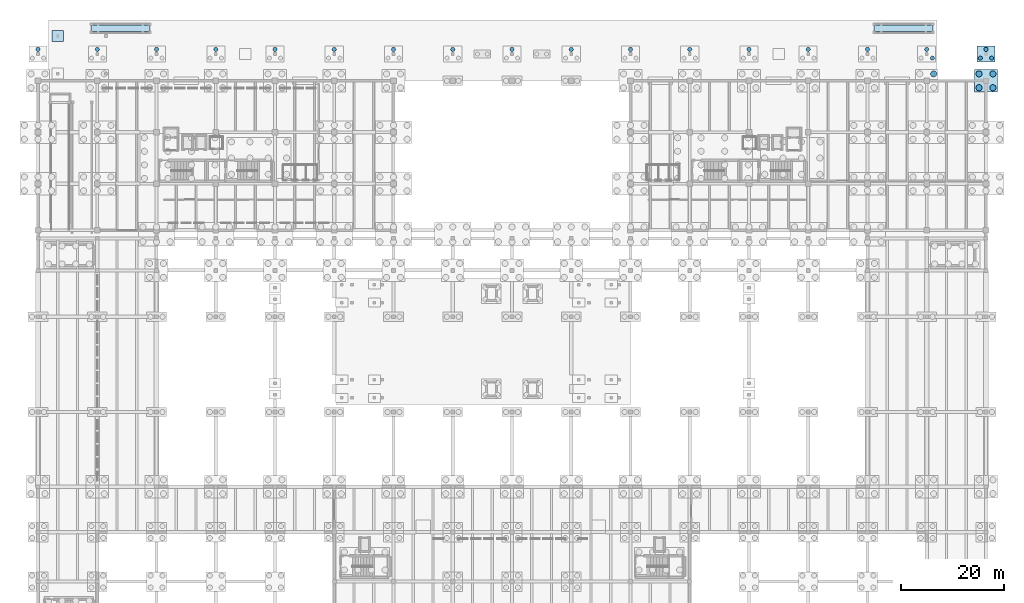
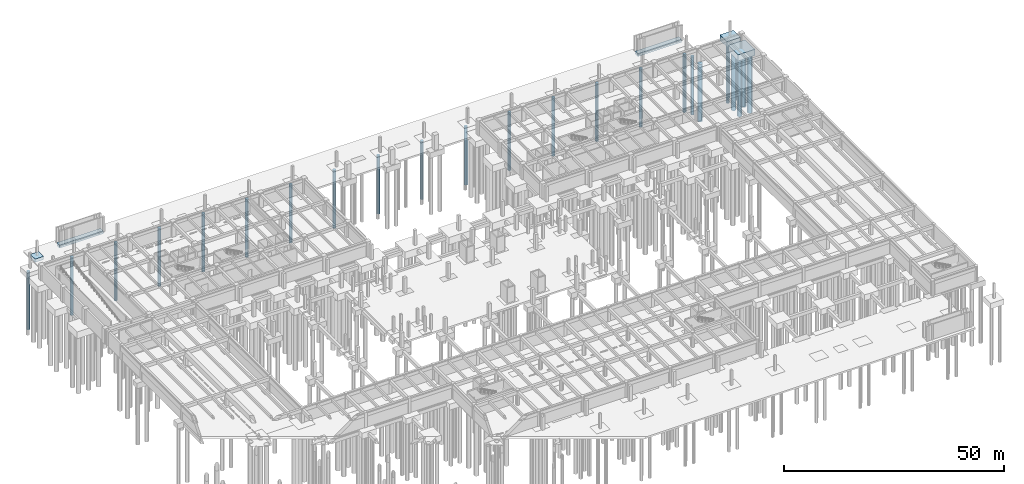
# One storey, part 7 of 28: 25 piles, 5 footings.
"""IFC4 building model written with IfcOpenShell, lengths in metres."""

from ifc_helpers import new_model, si_unit, direction, frame, origin, origin_2d, place, context, subcontext, project, spatial, rectangle, circle, extrude, material, material_profile, profile_set, type_object, element, save


model = new_model("IFC4")

# Units and contexts
model_context = context("Model", 3, precision=1e-05, world=origin(), true_north=direction((0.0, 1.0)))
body_context = subcontext(model_context, "Body", "Model", "MODEL_VIEW")
ifc_project = project(units=[si_unit("LENGTHUNIT", "METRE"), si_unit("AREAUNIT", "SQUARE_METRE"), si_unit("VOLUMEUNIT", "CUBIC_METRE"), si_unit("PLANEANGLEUNIT", "RADIAN"), si_unit("MASSUNIT", "GRAM", prefix="KILO")], contexts=[model_context])

# Site, building, storey
site_placement = place(None, origin())
site = spatial("IfcSite", under=ifc_project, at=site_placement, CompositionType="ELEMENT")
building_placement = place(site_placement, origin())
building = spatial("IfcBuilding", under=site, at=building_placement, Name="Ologun Quay Terminus", CompositionType="ELEMENT")
storey_placement = place(building_placement, frame((0.0, 0.0, -8.39990234375)))
storey = spatial("IfcBuildingStorey", under=building, at=storey_placement, Name="B02", CompositionType="ELEMENT", Elevation=-8.39990234375)

# Piles
ifc_material_1 = material(Name="Concrete C35/45", Category="concrete")
ifc_material_profile_1 = material_profile(ifc_material_1, circle(Radius=0.60009765625, at=origin_2d()), Name="PILE D1200")
ifc_profile_set_1 = profile_set([ifc_material_profile_1], Name="Concrete C35/45")
pile_type_1 = type_object("IfcPileType", Name="Bored Concrete Pile D1200", PredefinedType="BORED", material=ifc_profile_set_1)
for number, where, z_axis, x_axis, name in (
    (1, (173.85009765625, 116.14990234375, -1.60009765625), (0.0, 0.0, -1.0), (1.0, 0.0, 0.0), "P1 Pile FND-16-K-04"),
    (2, (182.64990234375, 113.449951171875, -1.60009765625), (0.0, 0.0, -1.0), (1.0, 0.0, 0.0), "P1 Pile FND-17-K-01"),
    (3, (185.35009765625, 113.449951171875, -1.60009765625), (0.0, 0.0, -1.0), (1.0, 0.0, 0.0), "P1 Pile FND-17-K-02"),
    (4, (182.64990234375, 116.14990234375, -1.60009765625), (0.0, 0.0, -1.0), (1.0, 0.0, 0.0), "P1 Pile FND-17-K-03"),
    (5, (185.35009765625, 116.14990234375, -1.60009765625), (0.0, 0.0, -1.0), (1.0, 0.0, 0.0), "P1 Pile FND-17-K-04"),
):
    element("IfcPile", number, at=place(storey_placement, frame(where, z_axis=z_axis, x_axis=x_axis)), inside=storey, type_object=pile_type_1, Name=name, PredefinedType="BORED", context=body_context, shape_type="SweptSolid", body=[
        extrude(circle(Radius=0.60009765625, at=origin_2d()), origin(), (0.0, 0.0, 1.0), 16.0),
    ])
ifc_material_2 = material(Name="Concrete C35/45", Category="concrete")
ifc_material_profile_2 = material_profile(ifc_material_2, circle(Radius=0.39990234375, at=origin_2d()), Name="PILE D800")
ifc_profile_set_2 = profile_set([ifc_material_profile_2], Name="Concrete C35/45")
pile_type_2 = type_object("IfcPileType", Name="Bored Concrete Pile D800", PredefinedType="BORED", material=ifc_profile_set_2)
for number, where, z_axis, x_axis, name in (
    (6, (0.0, 120.902587890625, -1.400146484375), (0.0, 0.0, -1.0), (1.0, 0.0, 0.0), "P3 Pile FND-1-L-03"),
    (7, (11.5, 120.902587890625, -1.400146484375), (0.0, 0.0, -1.0), (1.0, 0.0, 0.0), "P3 Pile FND-2-L-03"),
    (8, (23.0, 120.902587890625, -1.400146484375), (0.0, 0.0, -1.0), (1.0, 0.0, 0.0), "P3 Pile FND-3-L-03"),
    (9, (34.5, 120.902587890625, -1.400146484375), (0.0, 0.0, -1.0), (1.0, 0.0, 0.0), "P3 Pile FND-4-L-03"),
    (10, (46.0, 120.902587890625, -1.400146484375), (0.0, 0.0, -1.0), (1.0, 0.0, 0.0), "P3 Pile FND-5-L-03"),
    (11, (57.5, 120.902587890625, -1.400146484375), (0.0, 0.0, -1.0), (1.0, 0.0, 0.0), "P3 Pile FND-6-L-03"),
    (12, (69.0, 120.902587890625, -1.400146484375), (0.0, 0.0, -1.0), (1.0, 0.0, 0.0), "P3 Pile FND-7-L-03"),
    (13, (80.5, 120.902587890625, -1.400146484375), (0.0, 0.0, -1.0), (1.0, 0.0, 0.0), "P3 Pile FND-8-L-03"),
    (14, (92.0, 120.902587890625, -1.400146484375), (0.0, 0.0, -1.0), (1.0, 0.0, 0.0), "P3 Pile FND-9-L-03"),
    (15, (103.5, 120.902587890625, -1.400146484375), (0.0, 0.0, -1.0), (1.0, 0.0, 0.0), "P3 Pile FND-10-L-03"),
    (16, (115.0, 120.902587890625, -1.400146484375), (0.0, 0.0, -1.0), (1.0, 0.0, 0.0), "P3 Pile FND-11-L-03"),
    (17, (126.5, 120.902587890625, -1.400146484375), (0.0, 0.0, -1.0), (1.0, 0.0, 0.0), "P3 Pile FND-12-L-03"),
    (18, (138.0, 120.902587890625, -1.400146484375), (0.0, 0.0, -1.0), (1.0, 0.0, 0.0), "P3 Pile FND-13-L-03"),
    (19, (149.5, 120.902587890625, -1.400146484375), (0.0, 0.0, -1.0), (1.0, 0.0, 0.0), "P3 Pile FND-14-L-03"),
    (20, (161.0, 120.902587890625, -1.400146484375), (0.0, 0.0, -1.0), (1.0, 0.0, 0.0), "P3 Pile FND-15-L-03"),
    (21, (173.60009765625, 119.1923828125, -1.400146484375), (0.0, 0.0, -1.0), (1.0, 0.0, 0.0), "P3 Pile FND-16-L-02"),
    (22, (172.5, 120.902587890625, -1.400146484375), (0.0, 0.0, -1.0), (1.0, 0.0, 0.0), "P3 Pile FND-16-L-03"),
    (23, (182.89990234375, 119.1923828125, -1.400146484375), (0.0, 0.0, -1.0), (1.0, 0.0, 0.0), "P3 Pile FND-17-L-01"),
    (24, (185.10009765625, 119.1923828125, -1.400146484375), (0.0, 0.0, -1.0), (1.0, 0.0, 0.0), "P3 Pile FND-17-L-02"),
    (25, (184.0, 120.902587890625, -1.400146484375), (0.0, 0.0, -1.0), (1.0, 0.0, 0.0), "P3 Pile FND-17-L-03"),
):
    element("IfcPile", number, at=place(storey_placement, frame(where, z_axis=z_axis, x_axis=x_axis)), inside=storey, type_object=pile_type_2, Name=name, PredefinedType="BORED", context=body_context, shape_type="SweptSolid", body=[
        extrude(circle(Radius=0.39990234375, at=origin_2d()), origin(), (0.0, 0.0, 1.0), 16.199951171875),
    ])

# Footings
ifc_material_3 = material(Name="Concrete C35/45", Category="concrete")
footing_type_1 = type_object("IfcFootingType", Name="Four-Pile Courtyard Wing Cap 4400x4400x1700", PredefinedType="PILE_CAP", material=ifc_material_3)
footing_1_placement = place(storey_placement, frame((184.0, 114.800048828125, -1.7001953125), z_axis=(0.0, 0.0, 1.0), x_axis=(1.0, 0.0, 0.0)))
element("IfcFooting", 26, at=footing_1_placement, inside=storey, type_object=footing_type_1, Name="PC2 Footing 17/K", PredefinedType="PILE_CAP", context=body_context, shape_type="SweptSolid", body=[
    extrude(rectangle(XDim=4.39990234375, YDim=4.39990234375, at=origin_2d()), origin(), (0.0, 0.0, 1.0), 1.699951171875),
])
ifc_material_4 = material(Name="Concrete C35/45", Category="concrete")
footing_type_2 = type_object("IfcFootingType", Name="Platform Wall Strip Footing 1200x800", PredefinedType="STRIP_FOOTING", material=ifc_material_4)
for number, where, z_axis, x_axis, name in (
    (27, (16.0, 125.0, -0.80029296875), (0.0, 0.0, 1.0), (1.0, 0.0, 0.0), "SF2 Footing 2/L"),
    (28, (168.0, 125.0, -0.80029296875), (0.0, 0.0, 1.0), (1.0, 0.0, 0.0), "SF2 Footing 15/L"),
):
    element("IfcFooting", number, at=place(storey_placement, frame(where, z_axis=z_axis, x_axis=x_axis)), inside=storey, type_object=footing_type_2, Name=name, PredefinedType="STRIP_FOOTING", context=body_context, shape_type="SweptSolid", body=[
        extrude(rectangle(XDim=11.5, YDim=1.199951171875, at=origin_2d()), origin(), (0.0, 0.0, 1.0), 0.800048828125),
    ])
ifc_material_5 = material(Name="Concrete C35/45", Category="concrete")
footing_type_3 = type_object("IfcFootingType", Name="Quay Ramp Pad Footing 2200x2200x900", PredefinedType="PAD_FOOTING", material=ifc_material_5)
footing_2_placement = place(storey_placement, frame((3.800048828125, 123.5, -0.900146484375), z_axis=(0.0, 0.0, 1.0), x_axis=(1.0, 0.0, 0.0)))
element("IfcFooting", 29, at=footing_2_placement, inside=storey, type_object=footing_type_3, Name="PF1 Footing 1/L", PredefinedType="PAD_FOOTING", context=body_context, shape_type="SweptSolid", body=[
    extrude(rectangle(XDim=2.199951171875, YDim=2.199951171875, at=origin_2d()), origin(), (0.0, 0.0, 1.0), 0.89990234375),
])
ifc_material_6 = material(Name="Concrete C35/45", Category="concrete")
footing_type_4 = type_object("IfcFootingType", Name="Three-Pile Canopy Edge Cap 3500x3200x1500", PredefinedType="PILE_CAP", material=ifc_material_6)
footing_3_placement = place(storey_placement, frame((184.0, 120.0, -1.5), z_axis=(0.0, 0.0, 1.0), x_axis=(1.0, 0.0, 0.0)))
element("IfcFooting", 30, at=footing_3_placement, inside=storey, type_object=footing_type_4, Name="PC10 Footing 17/L", PredefinedType="PILE_CAP", context=body_context, shape_type="SweptSolid", body=[
    extrude(rectangle(XDim=3.5, YDim=3.199951171875, at=origin_2d()), origin(), (0.0, 0.0, 1.0), 1.5),
])

save(model, "model.ifc")
